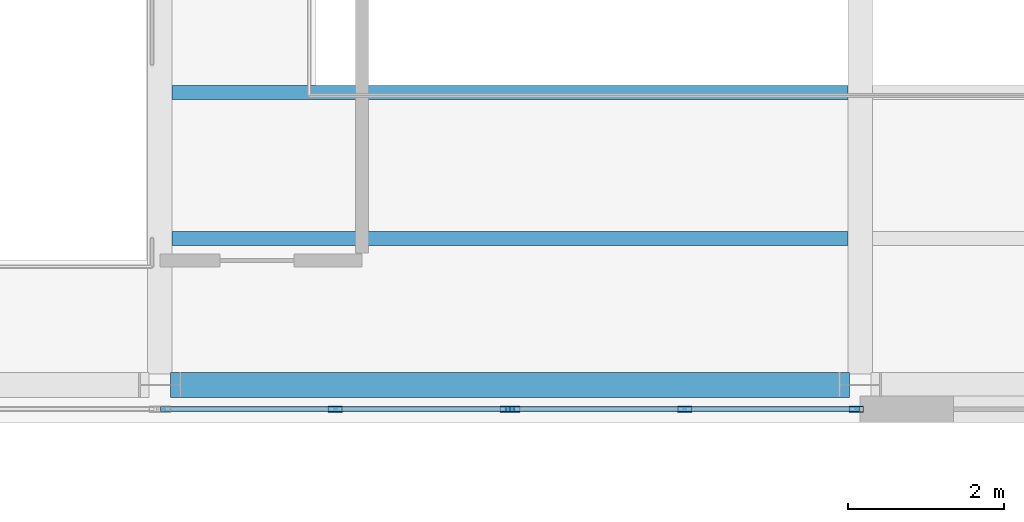
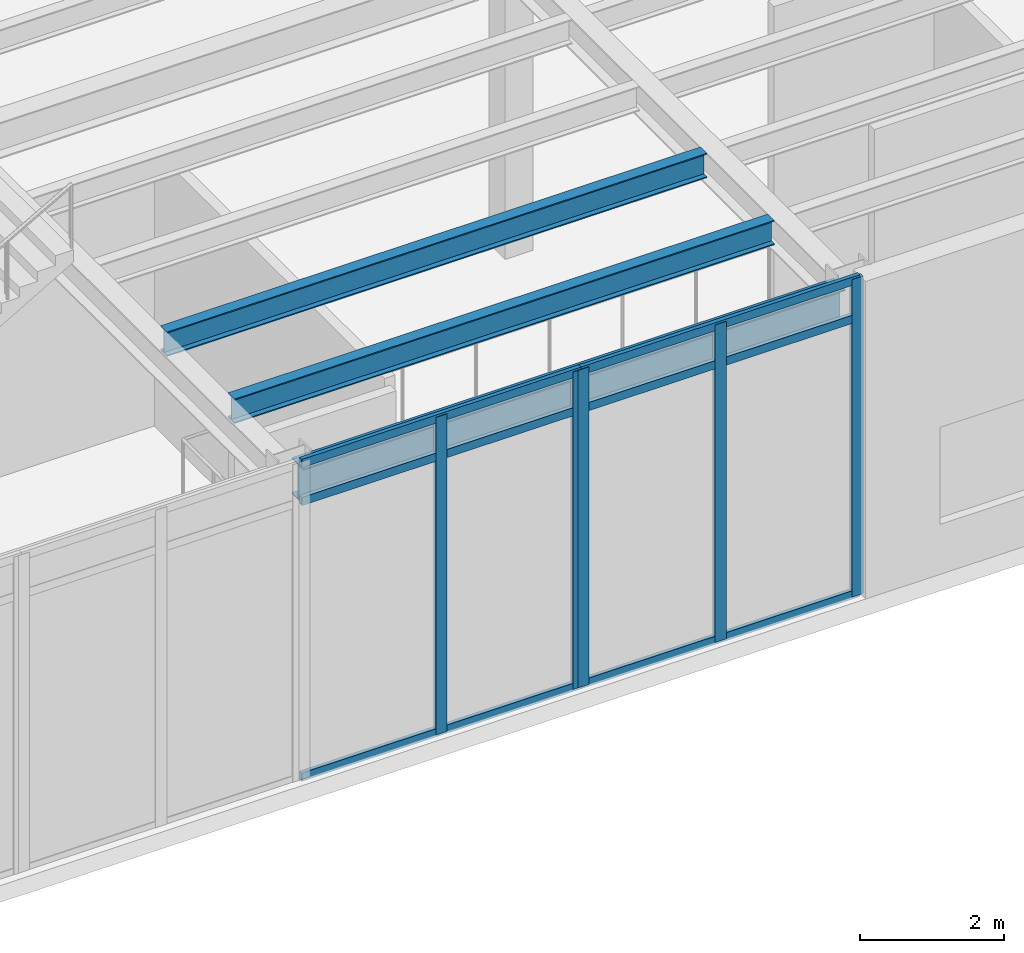
# One storey, part 58 of 98: 11 members, 3 beams, 2 elements without a shape of their own.
"""IFC4 building model written with IfcOpenShell, lengths in metres."""

import ifcopenshell
import ifcopenshell.guid

model = None  # the IFC model being written
_history = None  # IfcOwnerHistory: only IFC2X3 demands one
_inside = {}  # id of a spatial element -> (the spatial element, [elements in it])
_under = {}  # id of a project, library or spatial element -> (it, [spatial elements below it])
_declared = {}  # id of a project -> (the project, [libraries it declares])
_typed = {}  # id of a type object -> (the type object, [elements of that type])
_made_of = {}  # id of a material, layer set ... -> (it, [elements and type objects made of it])


def new_model(schema):
    """Start an empty IFC model of exactly this schema.

    Asked for "IFC4X3", IfcOpenShell would pick the latest addendum, in which some entities
    have other attributes; the version numbers below select the first issue.
    IFC2X3 requires an IfcOwnerHistory on every rooted entity: one is made here for all.
    """
    global model, _history
    if schema == "IFC4X3":
        model = ifcopenshell.file(schema_version=(4, 3, 0, 0))
    else:
        model = ifcopenshell.file(schema=schema)
    _inside.clear()
    _under.clear()
    _declared.clear()
    _typed.clear()
    _made_of.clear()
    _history = None
    if model.schema == "IFC2X3":
        org = make("IfcOrganization", Name="unknown")
        user = make(
            "IfcPersonAndOrganization",
            ThePerson=make("IfcPerson", FamilyName="unknown"),
            TheOrganization=org,
        )
        app = make(
            "IfcApplication",
            ApplicationDeveloper=org,
            Version="unknown",
            ApplicationFullName="unknown",
            ApplicationIdentifier="unknown",
        )
        _history = make(
            "IfcOwnerHistory",
            OwningUser=user,
            OwningApplication=app,
            ChangeAction="ADDED",
            CreationDate=0,
        )
    return model


def make(cls, **values):
    """One entity of the class cls with the attributes given. An attribute that is None is left unset."""
    return model.create_entity(
        cls, **{name: value for name, value in values.items() if value is not None}
    )


def rooted(cls, **values):
    """An entity with a GlobalId (a new one), such as an element, a storey or a relation."""
    return make(cls, GlobalId=ifcopenshell.guid.new(), OwnerHistory=_history, **values)


def si_unit(unit_type, name, prefix=None):
    """IfcSIUnit, for example si_unit("LENGTHUNIT", "METRE", prefix="MILLI")."""
    return make("IfcSIUnit", UnitType=unit_type, Prefix=prefix, Name=name)


def assignment(units):
    """IfcUnitAssignment: the units of a project."""
    return None if units is None else make("IfcUnitAssignment", Units=units)


def point(xyz):
    """IfcCartesianPoint."""
    return None if xyz is None else make("IfcCartesianPoint", Coordinates=xyz)


def direction(xyz):
    """IfcDirection."""
    return None if xyz is None else make("IfcDirection", DirectionRatios=xyz)


def frame(location, z_axis=None, x_axis=None):
    """IfcAxis2Placement3D, a coordinate frame: its origin and axes. An axis left out is left unset."""
    return make(
        "IfcAxis2Placement3D",
        Location=point(location),
        Axis=direction(z_axis),
        RefDirection=direction(x_axis),
    )


def frame_2d(location, x_axis=None):
    """IfcAxis2Placement2D, a coordinate frame in the plane: its origin and x axis."""
    return make(
        "IfcAxis2Placement2D", Location=point(location), RefDirection=direction(x_axis)
    )


def origin():
    """The frame at (0, 0, 0) with its axes left unset."""
    return frame((0.0, 0.0, 0.0))


def origin_2d():
    """The frame at (0, 0) in the plane with its x axis left unset."""
    return frame_2d((0.0, 0.0))


def place(relative_to, where):
    """IfcLocalPlacement: puts the frame where relative to a parent placement (None: the world)."""
    return make(
        "IfcLocalPlacement", PlacementRelTo=relative_to, RelativePlacement=where
    )


def context(
    kind, dimensions, precision=None, world=None, true_north=None, identifier=None
):
    """IfcGeometricRepresentationContext, for example the 3D "Model" context."""
    return make(
        "IfcGeometricRepresentationContext",
        ContextIdentifier=identifier,
        ContextType=kind,
        CoordinateSpaceDimension=dimensions,
        Precision=precision,
        WorldCoordinateSystem=world,
        TrueNorth=true_north,
    )


def subcontext(parent, identifier, kind, view, scale=None):
    """IfcGeometricRepresentationSubContext, for example "Body" below "Model"."""
    return make(
        "IfcGeometricRepresentationSubContext",
        ContextIdentifier=identifier,
        ContextType=kind,
        ParentContext=parent,
        TargetScale=scale,
        TargetView=view,
    )


def project(units=None, contexts=None):
    """IfcProject with its units and contexts."""
    return rooted(
        "IfcProject",
        Name="project",
        RepresentationContexts=contexts,
        UnitsInContext=assignment(units),
    )


def spatial(cls, under=None, at=None, **own):
    """A site, building, storey or space (cls), placed at a placement, below another one or the project."""
    s = rooted(cls, ObjectPlacement=at, **own)
    if under is not None:
        _under.setdefault(under.id(), (under, []))[1].append(s)
    return s


def profile(cls, at=None, kind="AREA", **sizes):
    """A parametric profile (cls). Its sizes go by their IFC names, for example OverallWidth=200.0."""
    return make(cls, ProfileType=kind, Position=at, **sizes)


def hollow_rectangle(**sizes):
    """IfcRectangleHollowProfileDef."""
    return profile("IfcRectangleHollowProfileDef", **sizes)


def i_section(**sizes):
    """IfcIShapeProfileDef."""
    return profile("IfcIShapeProfileDef", **sizes)


def extrude(swept, where, along, depth):
    """IfcExtrudedAreaSolid: the profile swept, set in the frame where, extruded along a direction by depth."""
    return make(
        "IfcExtrudedAreaSolid",
        SweptArea=swept,
        Position=where,
        ExtrudedDirection=direction(along),
        Depth=depth,
    )


def shape(context_of_items, identifier, shape_type, items):
    """IfcShapeRepresentation: the items that make up one representation, for example the "Body"."""
    return make(
        "IfcShapeRepresentation",
        ContextOfItems=context_of_items,
        RepresentationIdentifier=identifier,
        RepresentationType=shape_type,
        Items=items,
    )


def material(Name=None, Category=None):
    """IfcMaterial."""
    return make("IfcMaterial", Name=Name, Category=Category)


def layer(
    of_material, thickness, ventilated=None, Name=None, Category=None, Priority=None
):
    """IfcMaterialLayer: one layer of a wall or slab, of a material (None: an air gap)."""
    return make(
        "IfcMaterialLayer",
        Material=of_material,
        LayerThickness=thickness,
        IsVentilated=ventilated,
        Name=Name,
        Category=Category,
        Priority=Priority,
    )


def layer_set(layers, Name=None):
    """IfcMaterialLayerSet."""
    return make("IfcMaterialLayerSet", MaterialLayers=layers, LayerSetName=Name)


def material_profile(
    of_material, cross_section, Name=None, Category=None, Priority=None
):
    """IfcMaterialProfile: a cross section and its material."""
    return make(
        "IfcMaterialProfile",
        Name=Name,
        Material=of_material,
        Profile=cross_section,
        Priority=Priority,
        Category=Category,
    )


def profile_set(profiles, Name=None, composite=None):
    """IfcMaterialProfileSet."""
    return make(
        "IfcMaterialProfileSet",
        Name=Name,
        MaterialProfiles=profiles,
        CompositeProfile=composite,
    )


def made_of(thing, what):
    """Note that an element or type object is made of a material, layer set ...; save() writes the relation."""
    if what is not None:
        _made_of.setdefault(what.id(), (what, []))[1].append(thing)
    return thing


def type_object(cls, material=None, **own):
    """A type object (cls), such as IfcWallType, which elements share."""
    return made_of(rooted(cls, **own), material)


def element(
    cls,
    number,
    at=None,
    inside=None,
    cuts=None,
    type_object=None,
    material=None,
    context=None,
    identifier="Body",
    shape_type=None,
    held_by="IfcProductDefinitionShape",
    body=None,
    shapes=None,
    **own,
):
    """One element of the class cls, such as IfcWall. Its Tag is "e" and its number.

    at: its placement. inside: the storey or other place that contains it. cuts: it is an
    opening in that element (IfcRelVoidsElement). A single representation is given by context,
    identifier, shape_type and body (its items); several are given by shapes. held_by: the class
    of the entity that holds the representations. save() writes the other relations.
    """
    e = rooted(cls, Tag="e%d" % number, ObjectPlacement=at, **own)
    if body is not None:
        shapes = [shape(context, identifier, shape_type, body)]
    if shapes is not None:
        e.Representation = make(held_by, Representations=shapes)
    if inside is not None:
        _inside.setdefault(inside.id(), (inside, []))[1].append(e)
    if cuts is not None:
        rooted(
            "IfcRelVoidsElement", RelatingBuildingElement=cuts, RelatedOpeningElement=e
        )
    if type_object is not None:
        _typed.setdefault(type_object.id(), (type_object, []))[1].append(e)
    return made_of(e, material)


def aggregate(whole, parts):
    """IfcRelAggregates: a whole, such as a stair, and the parts it consists of."""
    return rooted("IfcRelAggregates", RelatingObject=whole, RelatedObjects=parts)


def save(model, path):
    """Write the relations noted so far, then the file.

    IfcRelAggregates (storeys below a building ...), IfcRelContainedInSpatialStructure (elements
    in a storey), IfcRelDefinesByType, IfcRelAssociatesMaterial and IfcRelDeclares: one each for
    every whole, place, type object, material and project.
    """
    for whole, parts in _under.values():
        aggregate(whole, parts)
    for where, things in _inside.values():
        rooted(
            "IfcRelContainedInSpatialStructure",
            RelatedElements=things,
            RelatingStructure=where,
        )
    for kind, things in _typed.values():
        rooted("IfcRelDefinesByType", RelatedObjects=things, RelatingType=kind)
    for what, things in _made_of.values():
        rooted("IfcRelAssociatesMaterial", RelatedObjects=things, RelatingMaterial=what)
    for by, libraries in _declared.values():
        rooted("IfcRelDeclares", RelatingContext=by, RelatedDefinitions=libraries)
    model.write(path)


model = new_model("IFC4")

# Units and contexts
model_context = context("Model", 3, precision=1e-05, world=origin(), true_north=direction((0.0, 1.0)))
body_context = subcontext(model_context, "Body", "Model", "MODEL_VIEW")
ifc_project = project(units=[si_unit("LENGTHUNIT", "METRE"), si_unit("AREAUNIT", "SQUARE_METRE"), si_unit("VOLUMEUNIT", "CUBIC_METRE"), si_unit("PLANEANGLEUNIT", "RADIAN"), si_unit("MASSUNIT", "GRAM", prefix="KILO")], contexts=[model_context])

# Site, building, storey
site_placement = place(None, origin())
site = spatial("IfcSite", under=ifc_project, at=site_placement, CompositionType="ELEMENT")
building_placement = place(site_placement, origin())
building = spatial("IfcBuilding", under=site, at=building_placement, Name="Sollismere Congress Hotel", CompositionType="ELEMENT")
storey_placement = place(building_placement, frame((0.0, 0.0, 5.39990234375)))
storey = spatial("IfcBuildingStorey", under=building, at=storey_placement, Name="L01", CompositionType="ELEMENT", Elevation=5.39990234375)

# Beams
ifc_material_1 = material(Name="Steel ASTM A992 Grade 50", Category="steel")
ifc_material_profile_1 = material_profile(ifc_material_1, i_section(OverallWidth=0.324951171875, OverallDepth=0.612060546875, WebThickness=0.0126953125, FlangeThickness=0.01904296875, at=origin_2d()), Name="W24X104")
ifc_profile_set_1 = profile_set([ifc_material_profile_1], Name="Steel ASTM A992 Grade 50")
beam_type_1 = type_object("IfcBeamType", Name="BM-G24", PredefinedType="BEAM", material=ifc_profile_set_1)
beam_placement = place(storey_placement, frame((94.139892578125, 66.800048828125, 4.814208984375), z_axis=(1.0, 0.0, 0.0), x_axis=(0.0, 1.0, 0.0)))
element("IfcBeam", 1, at=beam_placement, inside=storey, type_object=beam_type_1, Name="Beam BM-L01-1593", PredefinedType="BEAM", context=body_context, shape_type="SweptSolid", body=[
    extrude(i_section(OverallWidth=0.324951171875, OverallDepth=0.612060546875, WebThickness=0.0126953125, FlangeThickness=0.01904296875, at=origin_2d()), origin(), (0.0, 0.0, 1.0), 8.72021484375),
])
ifc_material_profile_2 = material_profile(ifc_material_1, i_section(OverallWidth=0.180908203125, OverallDepth=0.4169921875, WebThickness=0.010986328125, FlangeThickness=0.018310546875, at=origin_2d()), Name="W16X57")
ifc_profile_set_2 = profile_set([ifc_material_profile_2], Name="Steel ASTM A992 Grade 50")
beam_type_2 = type_object("IfcBeamType", Name="BM-J16", PredefinedType="JOIST", material=ifc_profile_set_2)
for number, where, z_axis, x_axis, name in (
    (2, (94.157470703125, 68.679931640625, 4.91162109375), (1.0, 0.0, 0.0), (0.0, 1.0, 0.0), "Beam BM-L01-1827"),
    (3, (94.157470703125, 70.56005859375, 4.91162109375), (1.0, 0.0, 0.0), (0.0, 1.0, 0.0), "Beam BM-L01-1828"),
):
    element("IfcBeam", number, at=place(storey_placement, frame(where, z_axis=z_axis, x_axis=x_axis)), inside=storey, type_object=beam_type_2, Name=name, PredefinedType="JOIST", context=body_context, shape_type="SweptSolid", body=[
        extrude(i_section(OverallWidth=0.180908203125, OverallDepth=0.4169921875, WebThickness=0.010986328125, FlangeThickness=0.018310546875, at=origin_2d()), origin(), (0.0, 0.0, 1.0), 8.68505859375),
    ])

# Curtain wall, members
ifc_material_2 = material(Name="Anodized Bronze Curtain Wall & Low-E Triple Glazing", Category="glass")
ifc_layer = layer(ifc_material_2, 0.199951171875, Name="Anodized Bronze Curtain Wall & Low-E Triple Glazing")
ifc_layer_set = layer_set([ifc_layer], Name="Anodized Bronze Curtain Wall & Low-E Triple Glazing")
curtain_wall_type = type_object("IfcCurtainWallType", Name="CW-GLZ36", PredefinedType="USERDEFINED", material=ifc_layer_set)
curtain_wall_1_placement = place(storey_placement, origin())
curtain_wall_1 = element("IfcCurtainWall", 4, at=curtain_wall_1_placement, inside=storey, type_object=curtain_wall_type, Name="Unitised curtain wall CW-L01-095", ObjectType="UNITISED CURTAIN WALL", PredefinedType="USERDEFINED")
ifc_material_3 = material(Name="Anodized Aluminum 6063-T6", Category="aluminium")
ifc_material_profile_3 = material_profile(ifc_material_3, hollow_rectangle(XDim=0.074951171875, YDim=0.179931640625, WallThickness=0.0048828125, at=origin_2d()), Name="ALU180X75X5")
ifc_profile_set_3 = profile_set([ifc_material_profile_3], Name="Anodized Aluminum 6063-T6")
member_type_1 = type_object("IfcMemberType", Name="ML-CW180", PredefinedType="MULLION", material=ifc_profile_set_3)
member_1_placement = place(storey_placement, frame((96.2548828125, 66.489990234375, 0.0), z_axis=(0.0, 0.0, 1.0), x_axis=(0.0, 1.0, 0.0)))
member_1 = element("IfcMember", 5, at=member_1_placement, type_object=member_type_1, Name="CWL-CW-L01-095-ML02", PredefinedType="MULLION", context=body_context, shape_type="SweptSolid", body=[
    extrude(hollow_rectangle(XDim=0.074951171875, YDim=0.179931640625, WallThickness=0.0048828125, at=origin_2d()), origin(), (0.0, 0.0, 1.0), 5.400146484375),
])
member_2_placement = place(storey_placement, frame((98.4619140625, 66.489990234375, 0.0), z_axis=(0.0, 0.0, 1.0), x_axis=(0.0, 1.0, 0.0)))
member_2 = element("IfcMember", 6, at=member_2_placement, type_object=member_type_1, Name="CWL-CW-L01-095-ML03", PredefinedType="MULLION", context=body_context, shape_type="SweptSolid", body=[
    extrude(hollow_rectangle(XDim=0.074951171875, YDim=0.179931640625, WallThickness=0.0048828125, at=origin_2d()), origin(), (0.0, 0.0, 1.0), 5.400146484375),
])

curtain_wall_2_placement = place(storey_placement, origin())
curtain_wall_2 = element("IfcCurtainWall", 7, at=curtain_wall_2_placement, inside=storey, type_object=curtain_wall_type, Name="Unitised curtain wall CW-L01-096", ObjectType="UNITISED CURTAIN WALL", PredefinedType="USERDEFINED")
member_3_placement = place(storey_placement, frame((98.5380859375, 66.489990234375, 0.0), z_axis=(0.0, 0.0, 1.0), x_axis=(0.0, 1.0, 0.0)))
member_3 = element("IfcMember", 8, at=member_3_placement, type_object=member_type_1, Name="CWL-CW-L01-096-ML01", PredefinedType="MULLION", context=body_context, shape_type="SweptSolid", body=[
    extrude(hollow_rectangle(XDim=0.074951171875, YDim=0.179931640625, WallThickness=0.0048828125, at=origin_2d()), origin(), (0.0, 0.0, 1.0), 5.400146484375),
])
member_4_placement = place(storey_placement, frame((100.7451171875, 66.489990234375, 0.0), z_axis=(0.0, 0.0, 1.0), x_axis=(0.0, 1.0, 0.0)))
member_4 = element("IfcMember", 9, at=member_4_placement, type_object=member_type_1, Name="CWL-CW-L01-096-ML02", PredefinedType="MULLION", context=body_context, shape_type="SweptSolid", body=[
    extrude(hollow_rectangle(XDim=0.074951171875, YDim=0.179931640625, WallThickness=0.0048828125, at=origin_2d()), origin(), (0.0, 0.0, 1.0), 5.400146484375),
])
member_5_placement = place(storey_placement, frame((102.951904296875, 66.489990234375, 0.0), z_axis=(0.0, 0.0, 1.0), x_axis=(0.0, 1.0, 0.0)))
member_5 = element("IfcMember", 10, at=member_5_placement, type_object=member_type_1, Name="CWL-CW-L01-096-ML03", PredefinedType="MULLION", context=body_context, shape_type="SweptSolid", body=[
    extrude(hollow_rectangle(XDim=0.074951171875, YDim=0.179931640625, WallThickness=0.0048828125, at=origin_2d()), origin(), (0.0, 0.0, 1.0), 5.400146484375),
])

# Member
ifc_material_profile_4 = material_profile(ifc_material_3, hollow_rectangle(XDim=0.06494140625, YDim=0.139892578125, WallThickness=0.00390625, at=origin_2d()), Name="ALU140X65X4")
ifc_profile_set_4 = profile_set([ifc_material_profile_4], Name="Anodized Aluminum 6063-T6")
member_type_2 = type_object("IfcMemberType", Name="TR-CW150", PredefinedType="MEMBER", material=ifc_profile_set_4)
member_6_placement = place(storey_placement, frame((94.010009765625, 66.489990234375, 0.03271484375), z_axis=(1.0, 0.0, 0.0), x_axis=(0.0, 1.0, 0.0)))
member_6 = element("IfcMember", 11, at=member_6_placement, type_object=member_type_2, Name="CWL-CW-L01-095-TR1", PredefinedType="MEMBER", context=body_context, shape_type="SweptSolid", body=[
    extrude(hollow_rectangle(XDim=0.06494140625, YDim=0.139892578125, WallThickness=0.00390625, at=origin_2d()), origin(), (0.0, 0.0, 1.0), 4.489990234375),
])

member_7_placement = place(storey_placement, frame((94.010009765625, 66.489990234375, 4.72021484375), z_axis=(1.0, 0.0, 0.0), x_axis=(0.0, 1.0, 0.0)))
member_7 = element("IfcMember", 12, at=member_7_placement, type_object=member_type_2, Name="CWL-CW-L01-095-TR2", PredefinedType="MEMBER", context=body_context, shape_type="SweptSolid", body=[
    extrude(hollow_rectangle(XDim=0.06494140625, YDim=0.139892578125, WallThickness=0.00390625, at=origin_2d()), origin(), (0.0, 0.0, 1.0), 4.489990234375),
])

member_8_placement = place(storey_placement, frame((94.010009765625, 66.489990234375, 5.36767578125), z_axis=(1.0, 0.0, 0.0), x_axis=(0.0, 1.0, 0.0)))
member_8 = element("IfcMember", 13, at=member_8_placement, type_object=member_type_2, Name="CWL-CW-L01-095-TR3", PredefinedType="MEMBER", context=body_context, shape_type="SweptSolid", body=[
    extrude(hollow_rectangle(XDim=0.06494140625, YDim=0.139892578125, WallThickness=0.00390625, at=origin_2d()), origin(), (0.0, 0.0, 1.0), 4.489990234375),
])

aggregate(curtain_wall_1, [member_1, member_2, member_6, member_7, member_8])

member_9_placement = place(storey_placement, frame((98.5, 66.489990234375, 0.03271484375), z_axis=(1.0, 0.0, 0.0), x_axis=(0.0, 1.0, 0.0)))
member_9 = element("IfcMember", 14, at=member_9_placement, type_object=member_type_2, Name="CWL-CW-L01-096-TR1", PredefinedType="MEMBER", context=body_context, shape_type="SweptSolid", body=[
    extrude(hollow_rectangle(XDim=0.06494140625, YDim=0.139892578125, WallThickness=0.00390625, at=origin_2d()), origin(), (0.0, 0.0, 1.0), 4.489990234375),
])

member_10_placement = place(storey_placement, frame((98.5, 66.489990234375, 4.72021484375), z_axis=(1.0, 0.0, 0.0), x_axis=(0.0, 1.0, 0.0)))
member_10 = element("IfcMember", 15, at=member_10_placement, type_object=member_type_2, Name="CWL-CW-L01-096-TR2", PredefinedType="MEMBER", context=body_context, shape_type="SweptSolid", body=[
    extrude(hollow_rectangle(XDim=0.06494140625, YDim=0.139892578125, WallThickness=0.00390625, at=origin_2d()), origin(), (0.0, 0.0, 1.0), 4.489990234375),
])

member_11_placement = place(storey_placement, frame((98.5, 66.489990234375, 5.36767578125), z_axis=(1.0, 0.0, 0.0), x_axis=(0.0, 1.0, 0.0)))
member_11 = element("IfcMember", 16, at=member_11_placement, type_object=member_type_2, Name="CWL-CW-L01-096-TR3", PredefinedType="MEMBER", context=body_context, shape_type="SweptSolid", body=[
    extrude(hollow_rectangle(XDim=0.06494140625, YDim=0.139892578125, WallThickness=0.00390625, at=origin_2d()), origin(), (0.0, 0.0, 1.0), 4.489990234375),
])

aggregate(curtain_wall_2, [member_3, member_4, member_5, member_9, member_10, member_11])

save(model, "model.ifc")
